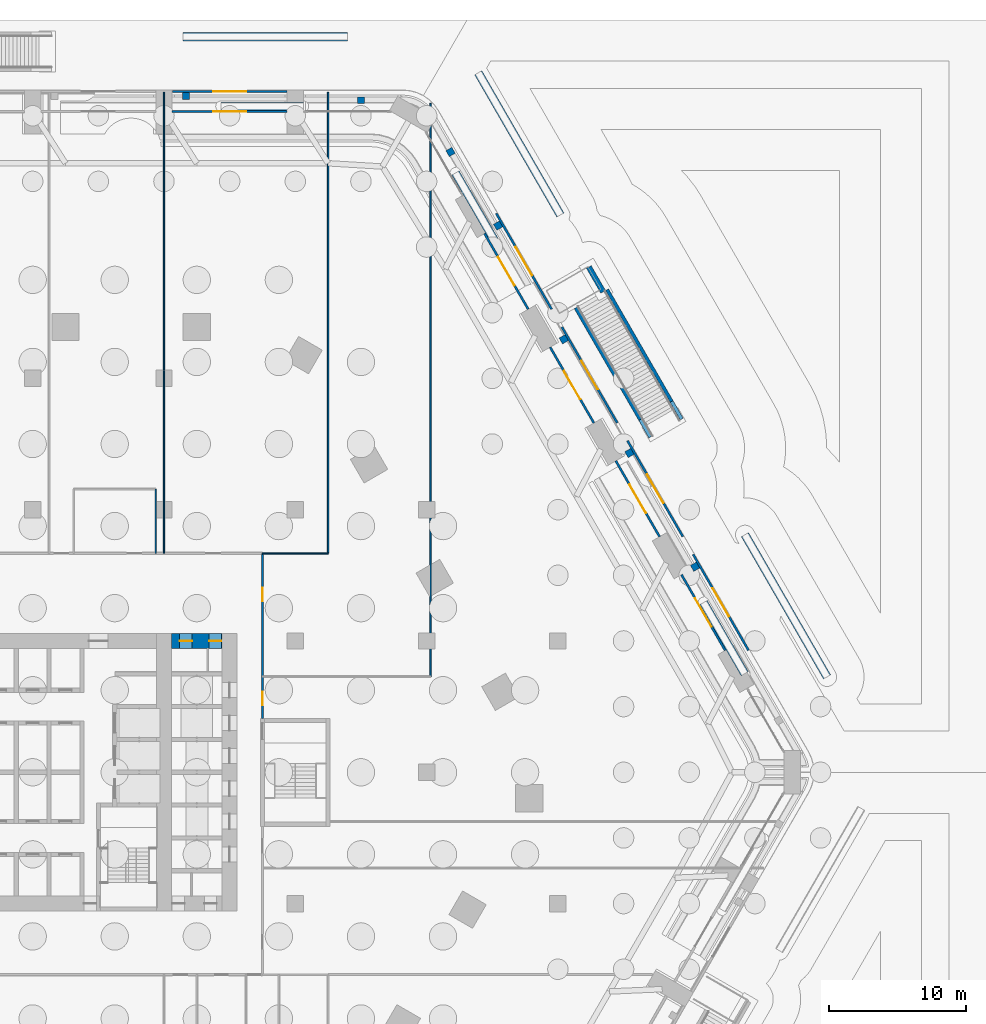
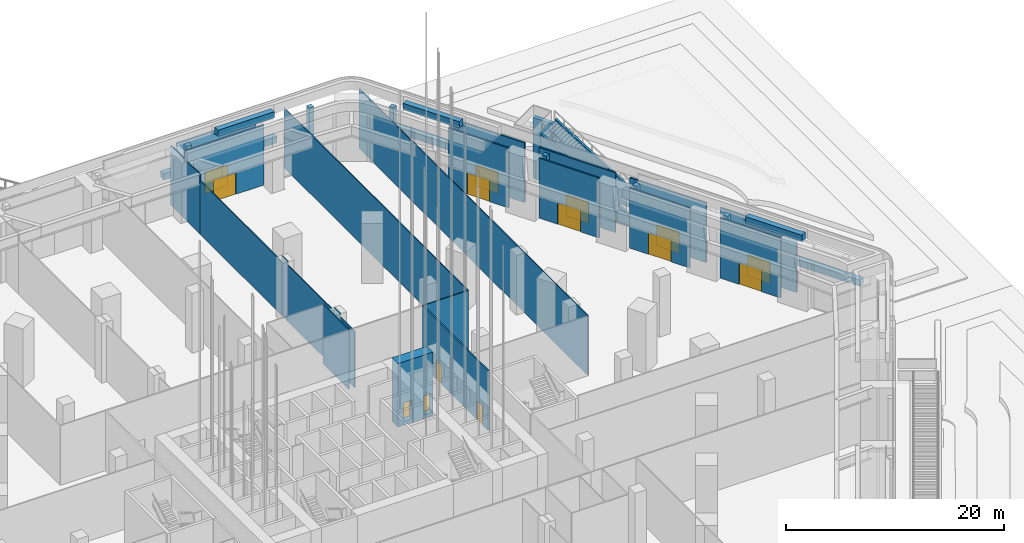
# One storey, part 20 of 68: 38 walls, 14 doors, 14 openings.
"""IFC4 building model written with IfcOpenShell, lengths in metres."""

from ifc_helpers import new_model, si_unit, direction, frame, frame_2d, origin, place, context, subcontext, project, spatial, polyline, rectangle, outline, extrude, material, layer, layer_set, type_object, element, fill, save


model = new_model("IFC4")

# Units and contexts
model_context = context("Model", 3, precision=1e-05, world=origin(), true_north=direction((0.0, 1.0)))
body_context = subcontext(model_context, "Body", "Model", "MODEL_VIEW")
ifc_project = project(units=[si_unit("LENGTHUNIT", "METRE"), si_unit("AREAUNIT", "SQUARE_METRE"), si_unit("VOLUMEUNIT", "CUBIC_METRE"), si_unit("PLANEANGLEUNIT", "RADIAN"), si_unit("MASSUNIT", "GRAM", prefix="KILO")], contexts=[model_context])

# Site, building, storey
site_placement = place(None, origin())
site = spatial("IfcSite", under=ifc_project, at=site_placement, CompositionType="ELEMENT")
building_placement = place(site_placement, origin())
building = spatial("IfcBuilding", under=site, at=building_placement, Name="Kolab Exchange Tower", CompositionType="ELEMENT")
storey_placement = place(building_placement, origin())
storey = spatial("IfcBuildingStorey", under=building, at=storey_placement, Name="L00", CompositionType="ELEMENT", Elevation=0.0)

# Wall, openings, doors
ifc_material_1 = material(Name="Concrete C80/95", Category="concrete")
ifc_layer_1 = layer(ifc_material_1, 1.10009765625)
ifc_layer_set_1 = layer_set([ifc_layer_1], Name="Concrete C80/95")
wall_type_1 = type_object("IfcWallType", Name="CORE WALL 1100 C80/95", PredefinedType="SHEAR", material=ifc_layer_set_1)
wall_1_placement = place(storey_placement, frame((10.14990234375, 9.60009765625, -0.39990234375), z_axis=(0.0, 0.0, 1.0), x_axis=(1.0, 0.0, 0.0)))
wall_1 = element("IfcWall", 1, at=wall_1_placement, inside=storey, type_object=wall_type_1, Name="wall/L00/core/053", PredefinedType="SHEAR", context=body_context, shape_type="SweptSolid", body=[
    extrude(rectangle(XDim=3.7001953125, YDim=1.10009765625, at=frame_2d((1.85009765625, 0.0))), origin(), (0.0, 0.0, 1.0), 7.099853515625),
])
opening_1_placement = place(wall_1_placement, frame((0.60009765625, 0.0, 0.39990234375)))
opening_1 = element("IfcOpeningElement", 2, at=opening_1_placement, cuts=wall_1, Name="Opening D6-020", PredefinedType="OPENING", context=body_context, shape_type="SweptSolid", body=[
    extrude(rectangle(XDim=0.89990234375, YDim=2.10009765625, at=frame_2d((0.449951171875, 1.050048828125))), frame((0.0, 0.56005859375, 0.0), z_axis=(0.0, -1.0, 0.0), x_axis=(1.0, 0.0, 0.0)), (0.0, 0.0, 1.0), 1.1201171875),
])
opening_2_placement = place(wall_1_placement, frame((2.75, 0.0, 0.39990234375)))
opening_2 = element("IfcOpeningElement", 3, at=opening_2_placement, cuts=wall_1, Name="Opening D6-021", PredefinedType="OPENING", context=body_context, shape_type="SweptSolid", body=[
    extrude(rectangle(XDim=0.89990234375, YDim=2.10009765625, at=frame_2d((0.449951171875, 1.050048828125))), frame((0.0, 0.56005859375, 0.0), z_axis=(0.0, -1.0, 0.0), x_axis=(1.0, 0.0, 0.0)), (0.0, 0.0, 1.0), 1.1201171875),
])
ifc_material_2 = material(Name="Steel S235", Category="steel")
door_type_1 = type_object("IfcDoorType", Name="CORE DOOR 900 EI 120", OperationType="SINGLE_SWING_LEFT", PredefinedType="DOOR", material=ifc_material_2)
door_1_placement = place(opening_1_placement, frame((0.89990234375, 0.0, 0.0), z_axis=(0.0, 0.0, 1.0), x_axis=(-1.0, 0.0, 0.0)))
door_1 = element("IfcDoor", 4, at=door_1_placement, inside=storey, type_object=door_type_1, Name="Service room door", OperationType="SINGLE_SWING_RIGHT", OverallHeight=2.10009765625, OverallWidth=0.89990234375, PredefinedType="DOOR", context=body_context, shape_type="SweptSolid", body=[
    extrude(rectangle(XDim=0.89990234375, YDim=2.10009765625, at=frame_2d((0.449951171875, 1.050048828125))), frame((0.0, 0.02490234375, 0.0), z_axis=(0.0, -1.0, 0.0), x_axis=(1.0, 0.0, 0.0)), (0.0, 0.0, 1.0), 0.050048828125),
])
fill(opening_1, door_1)
door_2_placement = place(opening_2_placement, frame((0.89990234375, 0.0, 0.0), z_axis=(0.0, 0.0, 1.0), x_axis=(-1.0, 0.0, 0.0)))
door_2 = element("IfcDoor", 5, at=door_2_placement, inside=storey, type_object=door_type_1, Name="Service room door", OperationType="SINGLE_SWING_LEFT", OverallHeight=2.10009765625, OverallWidth=0.89990234375, PredefinedType="DOOR", context=body_context, shape_type="SweptSolid", body=[
    extrude(rectangle(XDim=0.89990234375, YDim=2.10009765625, at=frame_2d((0.449951171875, 1.050048828125))), frame((0.0, 0.02490234375, 0.0), z_axis=(0.0, -1.0, 0.0), x_axis=(1.0, 0.0, 0.0)), (0.0, 0.0, 1.0), 0.050048828125),
])
fill(opening_2, door_2)

# Wall, opening, door
ifc_material_3 = material(Name="Aluminium EN AW-6063 T6", Category="aluminium")
ifc_layer_2 = layer(ifc_material_3, 0.159912109375)
ifc_layer_set_2 = layer_set([ifc_layer_2], Name="Aluminium EN AW-6063 T6")
wall_type_2 = type_object("IfcWallType", Name="DOOR SURROUND WALL 160 ALUMINIUM FRAMED", PredefinedType="PARTITIONING", material=ifc_layer_set_2)
wall_2_placement = place(storey_placement, frame((10.201904296875, 48.302978515625, 0.0), z_axis=(0.0, 0.0, 1.0), x_axis=(1.0, 0.0, 0.0)))
wall_2 = element("IfcWall", 6, at=wall_2_placement, inside=storey, type_object=wall_type_2, Name="Door surround wall", PredefinedType="PARTITIONING", context=body_context, shape_type="SweptSolid", body=[
    extrude(rectangle(XDim=8.39599609375, YDim=0.159912109375, at=frame_2d((4.197998046875, 0.0))), origin(), (0.0, 0.0, 1.0), 6.699951171875),
])
opening_3_placement = place(wall_2_placement, frame((2.998046875, 0.0, 0.0)))
opening_3 = element("IfcOpeningElement", 7, at=opening_3_placement, cuts=wall_2, Name="Opening ED1-003", PredefinedType="OPENING", context=body_context, shape_type="SweptSolid", body=[
    extrude(rectangle(XDim=2.39990234375, YDim=2.39990234375, at=frame_2d((1.199951171875, 1.199951171875))), frame((0.0, 0.08984375, 0.0), z_axis=(0.0, -1.0, 0.0), x_axis=(1.0, 0.0, 0.0)), (0.0, 0.0, 1.0), 0.179931640625),
])
door_type_2 = type_object("IfcDoorType", Name="ENTRANCE DOUBLE DOOR 2400 X 2400", OperationType="DOUBLE_DOOR_DOUBLE_SWING", PredefinedType="DOOR", material=ifc_material_3)
door_3_placement = place(opening_3_placement, origin())
door_3 = element("IfcDoor", 8, at=door_3_placement, inside=storey, type_object=door_type_2, Name="Entrance door", OperationType="DOUBLE_DOOR_DOUBLE_SWING", OverallHeight=2.39990234375, OverallWidth=2.39990234375, PredefinedType="DOOR", context=body_context, shape_type="SweptSolid", body=[
    extrude(rectangle(XDim=2.39990234375, YDim=2.39990234375, at=frame_2d((1.199951171875, 1.199951171875))), frame((0.0, 0.02490234375, 0.0), z_axis=(0.0, -1.0, 0.0), x_axis=(1.0, 0.0, 0.0)), (0.0, 0.0, 1.0), 0.050048828125),
])
fill(opening_3, door_3)

wall_3_placement = place(storey_placement, frame((33.03271484375, 39.391845703125, 0.0), z_axis=(0.0, 0.0, 1.0), x_axis=(0.500002207027, -0.866024129553, 0.0)))
wall_3 = element("IfcWall", 9, at=wall_3_placement, inside=storey, type_object=wall_type_2, Name="Door surround wall", PredefinedType="PARTITIONING", context=body_context, shape_type="SweptSolid", body=[
    extrude(rectangle(XDim=6.39599609375, YDim=0.159912109375, at=frame_2d((3.197998046875, 0.0))), origin(), (0.0, 0.0, 1.0), 6.699951171875),
])
opening_4_placement = place(wall_3_placement, frame((1.998046875, 0.0, 0.0)))
opening_4 = element("IfcOpeningElement", 10, at=opening_4_placement, cuts=wall_3, Name="Opening ED1-008", PredefinedType="OPENING", context=body_context, shape_type="SweptSolid", body=[
    extrude(rectangle(XDim=2.39990234375, YDim=2.39990234375, at=frame_2d((1.199951171875, 1.199951171875))), frame((0.0, 0.08984375, 0.0), z_axis=(0.0, -1.0, 0.0), x_axis=(1.0, 0.0, 0.0)), (0.0, 0.0, 1.0), 0.179931640625),
])
door_4_placement = place(opening_4_placement, origin())
door_4 = element("IfcDoor", 11, at=door_4_placement, inside=storey, type_object=door_type_2, Name="Entrance door", OperationType="DOUBLE_DOOR_DOUBLE_SWING", OverallHeight=2.39990234375, OverallWidth=2.39990234375, PredefinedType="DOOR", context=body_context, shape_type="SweptSolid", body=[
    extrude(rectangle(XDim=2.39990234375, YDim=2.39990234375, at=frame_2d((1.199951171875, 1.199951171875))), frame((0.0, 0.02490234375, 0.0), z_axis=(0.0, -1.0, 0.0), x_axis=(1.0, 0.0, 0.0)), (0.0, 0.0, 1.0), 0.050048828125),
])
fill(opening_4, door_4)

wall_4_placement = place(storey_placement, frame((37.832763671875, 31.078125, 0.0), z_axis=(0.0, 0.0, 1.0), x_axis=(0.499985678896, -0.86603367192, 0.0)))
wall_4 = element("IfcWall", 12, at=wall_4_placement, inside=storey, type_object=wall_type_2, Name="Door surround wall", PredefinedType="PARTITIONING", context=body_context, shape_type="SweptSolid", body=[
    extrude(rectangle(XDim=6.396240234375, YDim=0.159912109375, at=frame_2d((3.1982421875, 0.0))), origin(), (0.0, 0.0, 1.0), 6.699951171875),
])
opening_5_placement = place(wall_4_placement, frame((1.998046875, 0.0, 0.0)))
opening_5 = element("IfcOpeningElement", 13, at=opening_5_placement, cuts=wall_4, Name="Opening ED1-005", PredefinedType="OPENING", context=body_context, shape_type="SweptSolid", body=[
    extrude(rectangle(XDim=2.39990234375, YDim=2.39990234375, at=frame_2d((1.199951171875, 1.199951171875))), frame((0.0, 0.08984375, 0.0), z_axis=(0.0, -1.0, 0.0), x_axis=(1.0, 0.0, 0.0)), (0.0, 0.0, 1.0), 0.179931640625),
])
door_5_placement = place(opening_5_placement, origin())
door_5 = element("IfcDoor", 14, at=door_5_placement, inside=storey, type_object=door_type_2, Name="Entrance door", OperationType="DOUBLE_DOOR_DOUBLE_SWING", OverallHeight=2.39990234375, OverallWidth=2.39990234375, PredefinedType="DOOR", context=body_context, shape_type="SweptSolid", body=[
    extrude(rectangle(XDim=2.39990234375, YDim=2.39990234375, at=frame_2d((1.199951171875, 1.199951171875))), frame((0.0, 0.02490234375, 0.0), z_axis=(0.0, -1.0, 0.0), x_axis=(1.0, 0.0, 0.0)), (0.0, 0.0, 1.0), 0.050048828125),
])
fill(opening_5, door_5)

wall_5_placement = place(storey_placement, frame((42.632568359375, 22.76416015625, 0.0), z_axis=(0.0, 0.0, 1.0), x_axis=(0.500002207027, -0.866024129553, 0.0)))
wall_5 = element("IfcWall", 15, at=wall_5_placement, inside=storey, type_object=wall_type_2, Name="Door surround wall", PredefinedType="PARTITIONING", context=body_context, shape_type="SweptSolid", body=[
    extrude(rectangle(XDim=6.39599609375, YDim=0.159912109375, at=frame_2d((3.197998046875, 0.0))), origin(), (0.0, 0.0, 1.0), 6.699951171875),
])
opening_6_placement = place(wall_5_placement, frame((1.998046875, 0.0, 0.0)))
opening_6 = element("IfcOpeningElement", 16, at=opening_6_placement, cuts=wall_5, Name="Opening ED1-006", PredefinedType="OPENING", context=body_context, shape_type="SweptSolid", body=[
    extrude(rectangle(XDim=2.39990234375, YDim=2.39990234375, at=frame_2d((1.199951171875, 1.199951171875))), frame((0.0, 0.08984375, 0.0), z_axis=(0.0, -1.0, 0.0), x_axis=(1.0, 0.0, 0.0)), (0.0, 0.0, 1.0), 0.179931640625),
])
door_6_placement = place(opening_6_placement, origin())
door_6 = element("IfcDoor", 17, at=door_6_placement, inside=storey, type_object=door_type_2, Name="Entrance door", OperationType="DOUBLE_DOOR_DOUBLE_SWING", OverallHeight=2.39990234375, OverallWidth=2.39990234375, PredefinedType="DOOR", context=body_context, shape_type="SweptSolid", body=[
    extrude(rectangle(XDim=2.39990234375, YDim=2.39990234375, at=frame_2d((1.199951171875, 1.199951171875))), frame((0.0, 0.02490234375, 0.0), z_axis=(0.0, -1.0, 0.0), x_axis=(1.0, 0.0, 0.0)), (0.0, 0.0, 1.0), 0.050048828125),
])
fill(opening_6, door_6)

wall_6_placement = place(storey_placement, frame((47.4326171875, 14.4501953125, 0.0), z_axis=(0.0, 0.0, 1.0), x_axis=(0.500002207027, -0.866024129553, 0.0)))
wall_6 = element("IfcWall", 18, at=wall_6_placement, inside=storey, type_object=wall_type_2, Name="Door surround wall", PredefinedType="PARTITIONING", context=body_context, shape_type="SweptSolid", body=[
    extrude(rectangle(XDim=6.39599609375, YDim=0.159912109375, at=frame_2d((3.197998046875, 0.0))), origin(), (0.0, 0.0, 1.0), 6.699951171875),
])
opening_7_placement = place(wall_6_placement, frame((1.998046875, 0.0, 0.0)))
opening_7 = element("IfcOpeningElement", 19, at=opening_7_placement, cuts=wall_6, Name="Opening ED1-007", PredefinedType="OPENING", context=body_context, shape_type="SweptSolid", body=[
    extrude(rectangle(XDim=2.39990234375, YDim=2.39990234375, at=frame_2d((1.199951171875, 1.199951171875))), frame((0.0, 0.08984375, 0.0), z_axis=(0.0, -1.0, 0.0), x_axis=(1.0, 0.0, 0.0)), (0.0, 0.0, 1.0), 0.179931640625),
])
door_7_placement = place(opening_7_placement, origin())
door_7 = element("IfcDoor", 20, at=door_7_placement, inside=storey, type_object=door_type_2, Name="Entrance door", OperationType="DOUBLE_DOOR_DOUBLE_SWING", OverallHeight=2.39990234375, OverallWidth=2.39990234375, PredefinedType="DOOR", context=body_context, shape_type="SweptSolid", body=[
    extrude(rectangle(XDim=2.39990234375, YDim=2.39990234375, at=frame_2d((1.199951171875, 1.199951171875))), frame((0.0, 0.02490234375, 0.0), z_axis=(0.0, -1.0, 0.0), x_axis=(1.0, 0.0, 0.0)), (0.0, 0.0, 1.0), 0.050048828125),
])
fill(opening_7, door_7)

wall_7_placement = place(storey_placement, frame((10.2041015625, 49.782958984375, 0.0), z_axis=(0.0, 0.0, 1.0), x_axis=(1.0, 0.0, 0.0)))
wall_7 = element("IfcWall", 21, at=wall_7_placement, inside=storey, type_object=wall_type_2, Name="Door surround wall", PredefinedType="PARTITIONING", context=body_context, shape_type="SweptSolid", body=[
    extrude(rectangle(XDim=8.391845703125, YDim=0.159912109375, at=frame_2d((4.19580078125, 0.0))), origin(), (0.0, 0.0, 1.0), 6.699951171875),
])
opening_8_placement = place(wall_7_placement, frame((2.99609375, 0.0, 0.0)))
opening_8 = element("IfcOpeningElement", 22, at=opening_8_placement, cuts=wall_7, Name="Opening ED1-026", PredefinedType="OPENING", context=body_context, shape_type="SweptSolid", body=[
    extrude(rectangle(XDim=2.39990234375, YDim=2.39990234375, at=frame_2d((1.199951171875, 1.199951171875))), frame((0.0, 0.08984375, 0.0), z_axis=(0.0, -1.0, 0.0), x_axis=(1.0, 0.0, 0.0)), (0.0, 0.0, 1.0), 0.179931640625),
])
door_8_placement = place(opening_8_placement, origin())
door_8 = element("IfcDoor", 23, at=door_8_placement, inside=storey, type_object=door_type_2, Name="Entrance door", OperationType="DOUBLE_DOOR_DOUBLE_SWING", OverallHeight=2.39990234375, OverallWidth=2.39990234375, PredefinedType="DOOR", context=body_context, shape_type="SweptSolid", body=[
    extrude(rectangle(XDim=2.39990234375, YDim=2.39990234375, at=frame_2d((1.199951171875, 1.199951171875))), frame((0.0, 0.02490234375, 0.0), z_axis=(0.0, -1.0, 0.0), x_axis=(1.0, 0.0, 0.0)), (0.0, 0.0, 1.0), 0.050048828125),
])
fill(opening_8, door_8)

wall_8_placement = place(storey_placement, frame((33.889404296875, 40.867919921875, 0.0), z_axis=(0.0, 0.0, 1.0), x_axis=(0.500014813316, -0.866016851144, 0.0)))
wall_8 = element("IfcWall", 24, at=wall_8_placement, inside=storey, type_object=wall_type_2, Name="Door surround wall", PredefinedType="PARTITIONING", context=body_context, shape_type="SweptSolid", body=[
    extrude(rectangle(XDim=8.095947265625, YDim=0.159912109375, at=frame_2d((4.0478515625, 0.0))), origin(), (0.0, 0.0, 1.0), 6.699951171875),
])
opening_9_placement = place(wall_8_placement, frame((2.847900390625, 0.0, 0.0)))
opening_9 = element("IfcOpeningElement", 25, at=opening_9_placement, cuts=wall_8, Name="Opening ED1-027", PredefinedType="OPENING", context=body_context, shape_type="SweptSolid", body=[
    extrude(rectangle(XDim=2.39990234375, YDim=2.39990234375, at=frame_2d((1.199951171875, 1.199951171875))), frame((0.0, 0.08984375, 0.0), z_axis=(0.0, -1.0, 0.0), x_axis=(1.0, 0.0, 0.0)), (0.0, 0.0, 1.0), 0.179931640625),
])
door_9_placement = place(opening_9_placement, origin())
door_9 = element("IfcDoor", 26, at=door_9_placement, inside=storey, type_object=door_type_2, Name="Entrance door", OperationType="DOUBLE_DOOR_DOUBLE_SWING", OverallHeight=2.39990234375, OverallWidth=2.39990234375, PredefinedType="DOOR", context=body_context, shape_type="SweptSolid", body=[
    extrude(rectangle(XDim=2.39990234375, YDim=2.39990234375, at=frame_2d((1.199951171875, 1.199951171875))), frame((0.0, 0.02490234375, 0.0), z_axis=(0.0, -1.0, 0.0), x_axis=(1.0, 0.0, 0.0)), (0.0, 0.0, 1.0), 0.050048828125),
])
fill(opening_9, door_9)

wall_9_placement = place(storey_placement, frame((38.689453125, 32.55419921875, 0.0), z_axis=(0.0, 0.0, 1.0), x_axis=(0.499979138673, -0.866037447742, 0.0)))
wall_9 = element("IfcWall", 27, at=wall_9_placement, inside=storey, type_object=wall_type_2, Name="Door surround wall", PredefinedType="PARTITIONING", context=body_context, shape_type="SweptSolid", body=[
    extrude(rectangle(XDim=8.095947265625, YDim=0.159912109375, at=frame_2d((4.0478515625, 0.0))), origin(), (0.0, 0.0, 1.0), 6.699951171875),
])
opening_10_placement = place(wall_9_placement, frame((2.847900390625, 0.0, 0.0)))
opening_10 = element("IfcOpeningElement", 28, at=opening_10_placement, cuts=wall_9, Name="Opening ED1-028", PredefinedType="OPENING", context=body_context, shape_type="SweptSolid", body=[
    extrude(rectangle(XDim=2.39990234375, YDim=2.39990234375, at=frame_2d((1.199951171875, 1.199951171875))), frame((0.0, 0.08984375, 0.0), z_axis=(0.0, -1.0, 0.0), x_axis=(1.0, 0.0, 0.0)), (0.0, 0.0, 1.0), 0.179931640625),
])
door_10_placement = place(opening_10_placement, origin())
door_10 = element("IfcDoor", 29, at=door_10_placement, inside=storey, type_object=door_type_2, Name="Entrance door", OperationType="DOUBLE_DOOR_DOUBLE_SWING", OverallHeight=2.39990234375, OverallWidth=2.39990234375, PredefinedType="DOOR", context=body_context, shape_type="SweptSolid", body=[
    extrude(rectangle(XDim=2.39990234375, YDim=2.39990234375, at=frame_2d((1.199951171875, 1.199951171875))), frame((0.0, 0.02490234375, 0.0), z_axis=(0.0, -1.0, 0.0), x_axis=(1.0, 0.0, 0.0)), (0.0, 0.0, 1.0), 0.050048828125),
])
fill(opening_10, door_10)

wall_10_placement = place(storey_placement, frame((43.489501953125, 24.240234375, 0.0), z_axis=(0.0, 0.0, 1.0), x_axis=(0.499992196334, -0.866029909186, 0.0)))
wall_10 = element("IfcWall", 30, at=wall_10_placement, inside=storey, type_object=wall_type_2, Name="Door surround wall", PredefinedType="PARTITIONING", context=body_context, shape_type="SweptSolid", body=[
    extrude(rectangle(XDim=8.095947265625, YDim=0.159912109375, at=frame_2d((4.0478515625, 0.0))), origin(), (0.0, 0.0, 1.0), 6.699951171875),
])
opening_11_placement = place(wall_10_placement, frame((2.847900390625, 0.0, 0.0)))
opening_11 = element("IfcOpeningElement", 31, at=opening_11_placement, cuts=wall_10, Name="Opening ED1-029", PredefinedType="OPENING", context=body_context, shape_type="SweptSolid", body=[
    extrude(rectangle(XDim=2.39990234375, YDim=2.39990234375, at=frame_2d((1.199951171875, 1.199951171875))), frame((0.0, 0.08984375, 0.0), z_axis=(0.0, -1.0, 0.0), x_axis=(1.0, 0.0, 0.0)), (0.0, 0.0, 1.0), 0.179931640625),
])
door_11_placement = place(opening_11_placement, origin())
door_11 = element("IfcDoor", 32, at=door_11_placement, inside=storey, type_object=door_type_2, Name="Entrance door", OperationType="DOUBLE_DOOR_DOUBLE_SWING", OverallHeight=2.39990234375, OverallWidth=2.39990234375, PredefinedType="DOOR", context=body_context, shape_type="SweptSolid", body=[
    extrude(rectangle(XDim=2.39990234375, YDim=2.39990234375, at=frame_2d((1.199951171875, 1.199951171875))), frame((0.0, 0.02490234375, 0.0), z_axis=(0.0, -1.0, 0.0), x_axis=(1.0, 0.0, 0.0)), (0.0, 0.0, 1.0), 0.050048828125),
])
fill(opening_11, door_11)

wall_11_placement = place(storey_placement, frame((48.289306640625, 15.926513671875, 0.0), z_axis=(0.0, 0.0, 1.0), x_axis=(0.500001755459, -0.866024390267, 0.0)))
wall_11 = element("IfcWall", 33, at=wall_11_placement, inside=storey, type_object=wall_type_2, Name="Door surround wall", PredefinedType="PARTITIONING", context=body_context, shape_type="SweptSolid", body=[
    extrude(rectangle(XDim=8.09619140625, YDim=0.159912109375, at=frame_2d((4.048095703125, 0.0))), origin(), (0.0, 0.0, 1.0), 6.699951171875),
])
opening_12_placement = place(wall_11_placement, frame((2.847900390625, 0.0, 0.0)))
opening_12 = element("IfcOpeningElement", 34, at=opening_12_placement, cuts=wall_11, Name="Opening ED1-030", PredefinedType="OPENING", context=body_context, shape_type="SweptSolid", body=[
    extrude(rectangle(XDim=2.39990234375, YDim=2.39990234375, at=frame_2d((1.199951171875, 1.199951171875))), frame((0.0, 0.08984375, 0.0), z_axis=(0.0, -1.0, 0.0), x_axis=(1.0, 0.0, 0.0)), (0.0, 0.0, 1.0), 0.179931640625),
])
door_12_placement = place(opening_12_placement, origin())
door_12 = element("IfcDoor", 35, at=door_12_placement, inside=storey, type_object=door_type_2, Name="Entrance door", OperationType="DOUBLE_DOOR_DOUBLE_SWING", OverallHeight=2.39990234375, OverallWidth=2.39990234375, PredefinedType="DOOR", context=body_context, shape_type="SweptSolid", body=[
    extrude(rectangle(XDim=2.39990234375, YDim=2.39990234375, at=frame_2d((1.199951171875, 1.199951171875))), frame((0.0, 0.02490234375, 0.0), z_axis=(0.0, -1.0, 0.0), x_axis=(1.0, 0.0, 0.0)), (0.0, 0.0, 1.0), 0.050048828125),
])
fill(opening_12, door_12)

# Walls
ifc_material_4 = material(Name="Gypsum board", Category="gypsum")
ifc_layer_3 = layer(ifc_material_4, 0.10009765625)
ifc_layer_set_3 = layer_set([ifc_layer_3], Name="Gypsum board")
wall_type_3 = type_object("IfcWallType", Name="PARTITION 100", PredefinedType="PARTITIONING", material=ifc_layer_set_3)
wall_12_placement = place(storey_placement, frame((29.096923828125, 7.0, 0.0), z_axis=(0.0, 0.0, 1.0), x_axis=(0.0, 1.0, 0.0)))
element("IfcWall", 36, at=wall_12_placement, inside=storey, type_object=wall_type_3, Name="Partition 000", PredefinedType="PARTITIONING", context=body_context, shape_type="SweptSolid", body=[
    extrude(rectangle(XDim=41.910888671875, YDim=0.10009765625, at=frame_2d((20.95556640625, 0.0))), origin(), (0.0, 0.0, 1.0), 6.699951171875),
])
wall_13_placement = place(storey_placement, frame((21.60009765625, 16.0, 0.0), z_axis=(0.0, 0.0, 1.0), x_axis=(0.0, 1.0, 0.0)))
element("IfcWall", 37, at=wall_13_placement, inside=storey, type_object=wall_type_3, Name="Partition 002", PredefinedType="PARTITIONING", context=body_context, shape_type="SweptSolid", body=[
    extrude(rectangle(XDim=33.713134765625, YDim=0.10009765625, at=frame_2d((16.8564453125, 0.0))), origin(), (0.0, 0.0, 1.0), 6.699951171875),
])
wall_14_placement = place(storey_placement, frame((9.60009765625, 29.360107421875, 0.0), z_axis=(0.0, 0.0, 1.0), x_axis=(0.0, 1.0, 0.0)))
element("IfcWall", 38, at=wall_14_placement, inside=storey, type_object=wall_type_3, Name="Partition 011", PredefinedType="PARTITIONING", context=body_context, shape_type="SweptSolid", body=[
    extrude(rectangle(XDim=15.006103515625, YDim=0.10009765625, at=frame_2d((7.5029296875, 0.0))), origin(), (0.0, 0.0, 1.0), 6.01611328125),
])
wall_15_placement = place(storey_placement, frame((9.60009765625, 16.0, 0.0), z_axis=(0.0, 0.0, 1.0), x_axis=(0.0, 1.0, 0.0)))
element("IfcWall", 39, at=wall_15_placement, inside=storey, type_object=wall_type_3, Name="Partition 011", PredefinedType="PARTITIONING", context=body_context, shape_type="SweptSolid", body=[
    extrude(rectangle(XDim=2.639892578125, YDim=0.10009765625, at=frame_2d((1.31982421875, 0.0))), origin(), (0.0, 0.0, 1.0), 6.29296875),
])
wall_16_placement = place(storey_placement, frame((9.60009765625, 18.639892578125, 0.0), z_axis=(0.0, 0.0, 1.0), x_axis=(0.0, 1.0, 0.0)))
element("IfcWall", 40, at=wall_16_placement, inside=storey, type_object=wall_type_3, Name="Partition 011", PredefinedType="PARTITIONING", context=body_context, shape_type="SweptSolid", body=[
    extrude(rectangle(XDim=1.1201171875, YDim=0.10009765625, at=frame_2d((0.56005859375, 0.0))), origin(), (0.0, 0.0, 1.0), 6.699951171875),
])
wall_17_placement = place(storey_placement, frame((9.60009765625, 19.760009765625, 0.0), z_axis=(0.0, 0.0, 1.0), x_axis=(0.0, 1.0, 0.0)))
element("IfcWall", 41, at=wall_17_placement, inside=storey, type_object=wall_type_3, Name="Partition 011", PredefinedType="PARTITIONING", context=body_context, shape_type="SweptSolid", body=[
    extrude(rectangle(XDim=8.47998046875, YDim=0.10009765625, at=frame_2d((4.239990234375, 0.0))), origin(), (0.0, 0.0, 1.0), 6.29296875),
])
wall_18_placement = place(storey_placement, frame((9.60009765625, 28.239990234375, 0.0), z_axis=(0.0, 0.0, 1.0), x_axis=(0.0, 1.0, 0.0)))
element("IfcWall", 42, at=wall_18_placement, inside=storey, type_object=wall_type_3, Name="Partition 011", PredefinedType="PARTITIONING", context=body_context, shape_type="SweptSolid", body=[
    extrude(rectangle(XDim=1.1201171875, YDim=0.10009765625, at=frame_2d((0.56005859375, 0.0))), origin(), (0.0, 0.0, 1.0), 6.699951171875),
])
wall_19_placement = place(storey_placement, frame((9.60009765625, 44.3662109375, 0.0), z_axis=(0.0, 0.0, 1.0), x_axis=(0.0, 1.0, 0.0)))
element("IfcWall", 43, at=wall_19_placement, inside=storey, type_object=wall_type_3, Name="Partition 011", PredefinedType="PARTITIONING", context=body_context, shape_type="SweptSolid", body=[
    extrude(rectangle(XDim=5.346923828125, YDim=0.10009765625, at=frame_2d((2.67333984375, 0.0))), origin(), (0.0, 0.0, 1.0), 6.699951171875),
])
wall_20_placement = place(storey_placement, frame((9.0, 16.0, 0.0), z_axis=(0.0, 0.0, 1.0), x_axis=(0.0, 1.0, 0.0)))
element("IfcWall", 44, at=wall_20_placement, inside=storey, type_object=wall_type_3, Name="Partition 012", PredefinedType="PARTITIONING", context=body_context, shape_type="SweptSolid", body=[
    extrude(rectangle(XDim=4.699951171875, YDim=0.10009765625, at=frame_2d((2.35009765625, 0.0))), origin(), (0.0, 0.0, 1.0), 6.699951171875),
])
wall_21_placement = place(storey_placement, frame((16.800048828125, 16.0, 0.0), z_axis=(0.0, 0.0, 1.0), x_axis=(1.0, 0.0, 0.0)))
element("IfcWall", 45, at=wall_21_placement, inside=storey, type_object=wall_type_3, Name="Partition 039", PredefinedType="PARTITIONING", context=body_context, shape_type="SweptSolid", body=[
    extrude(rectangle(XDim=4.800048828125, YDim=0.10009765625, at=frame_2d((2.39990234375, 0.0))), origin(), (0.0, 0.0, 1.0), 6.699951171875),
])

# Wall, openings, doors
ifc_layer_4 = layer(ifc_material_4, 0.14990234375)
ifc_layer_set_4 = layer_set([ifc_layer_4], Name="Gypsum board")
wall_type_4 = type_object("IfcWallType", Name="PARTITION 150 FIRE-RATED", PredefinedType="PARTITIONING", material=ifc_layer_set_4)
wall_22_placement = place(storey_placement, frame((16.800048828125, 3.949951171875, 0.0), z_axis=(0.0, 0.0, 1.0), x_axis=(0.0, 1.0, 0.0)))
wall_22 = element("IfcWall", 46, at=wall_22_placement, inside=storey, type_object=wall_type_4, Name="Partition 005", PredefinedType="PARTITIONING", context=body_context, shape_type="SweptSolid", body=[
    extrude(rectangle(XDim=12.050048828125, YDim=0.14990234375, at=frame_2d((6.02490234375, 0.0))), origin(), (0.0, 0.0, 1.0), 6.699951171875),
])
opening_13_placement = place(wall_22_placement, frame((0.949951171875, 0.0, 0.0)))
opening_13 = element("IfcOpeningElement", 47, at=opening_13_placement, cuts=wall_22, Name="Opening D1-007", PredefinedType="OPENING", context=body_context, shape_type="SweptSolid", body=[
    extrude(rectangle(XDim=1.0, YDim=2.10009765625, at=frame_2d((0.5, 1.050048828125))), frame((0.0, 0.0849609375, 0.0), z_axis=(0.0, -1.0, 0.0), x_axis=(1.0, 0.0, 0.0)), (0.0, 0.0, 1.0), 0.169921875),
])
opening_14_placement = place(wall_22_placement, frame((8.550048828125, 0.0, 0.0)))
opening_14 = element("IfcOpeningElement", 48, at=opening_14_placement, cuts=wall_22, Name="Opening D1-008", PredefinedType="OPENING", context=body_context, shape_type="SweptSolid", body=[
    extrude(rectangle(XDim=1.0, YDim=2.10009765625, at=frame_2d((0.5, 1.050048828125))), frame((0.0, 0.0849609375, 0.0), z_axis=(0.0, -1.0, 0.0), x_axis=(1.0, 0.0, 0.0)), (0.0, 0.0, 1.0), 0.169921875),
])
door_type_3 = type_object("IfcDoorType", Name="FLUSH DOOR 1000 FD60", OperationType="SINGLE_SWING_LEFT", PredefinedType="DOOR", material=ifc_material_2)
door_13_placement = place(opening_13_placement, frame((1.0, 0.0, 0.0), z_axis=(0.0, 0.0, 1.0), x_axis=(-1.0, 0.0, 0.0)))
door_13 = element("IfcDoor", 49, at=door_13_placement, inside=storey, type_object=door_type_3, Name="Door L00-058", OperationType="SINGLE_SWING_RIGHT", OverallHeight=2.10009765625, OverallWidth=1.0, PredefinedType="DOOR", context=body_context, shape_type="SweptSolid", body=[
    extrude(rectangle(XDim=1.0, YDim=2.10009765625, at=frame_2d((0.5, 1.050048828125))), frame((0.0, 0.02490234375, 0.0), z_axis=(0.0, -1.0, 0.0), x_axis=(1.0, 0.0, 0.0)), (0.0, 0.0, 1.0), 0.050048828125),
])
fill(opening_13, door_13)
door_14_placement = place(opening_14_placement, frame((1.0, 0.0, 0.0), z_axis=(0.0, 0.0, 1.0), x_axis=(-1.0, 0.0, 0.0)))
door_14 = element("IfcDoor", 50, at=door_14_placement, inside=storey, type_object=door_type_3, Name="Door L00-059", OperationType="SINGLE_SWING_RIGHT", OverallHeight=2.10009765625, OverallWidth=1.0, PredefinedType="DOOR", context=body_context, shape_type="SweptSolid", body=[
    extrude(rectangle(XDim=1.0, YDim=2.10009765625, at=frame_2d((0.5, 1.050048828125))), frame((0.0, 0.02490234375, 0.0), z_axis=(0.0, -1.0, 0.0), x_axis=(1.0, 0.0, 0.0)), (0.0, 0.0, 1.0), 0.050048828125),
])
fill(opening_14, door_14)

# Walls
ifc_material_5 = material(Name="Granite facing", Category="masonry")
ifc_layer_5 = layer(ifc_material_5, 0.0400390625)
ifc_material_6 = material(Name="Concrete C40/50 precast", Category="concrete")
ifc_layer_6 = layer(ifc_material_6, 0.56005859375)
ifc_layer_set_5 = layer_set([ifc_layer_5, ifc_layer_6], Name="Concrete C40/50 precast")
wall_type_5 = type_object("IfcWallType", Name="PLANTER BOX 600 X 700 SOIL DEPTH 550", PredefinedType="USERDEFINED", material=ifc_layer_set_5)
for number, where, z_axis, x_axis, name in (
    (51, (13.7822265625, 48.68310546875, 7.0), (0.0, 0.0, 1.0), (1.0, 0.0, 0.0), "Planter"),
    (52, (49.0517578125, 12.40576171875, 7.0), (0.0, 0.0, 1.0), (0.500007758305, -0.866020924479, 0.0), "Planter"),
    (53, (30.915771484375, 43.8173828125, 7.0), (0.0, 0.0, 1.0), (0.499990139034, -0.866031096941, 0.0), "Planter"),
):
    element("IfcWall", number, at=place(storey_placement, frame(where, z_axis=z_axis, x_axis=x_axis)), inside=storey, type_object=wall_type_5, Name=name, ObjectType="PLANTER", PredefinedType="USERDEFINED", context=body_context, shape_type="SweptSolid", body=[
        extrude(rectangle(XDim=6.0, YDim=0.60009765625, at=frame_2d((3.0, 0.0))), origin(), (0.0, 0.0, 1.0), 0.699951171875),
    ])
for number, where, z_axis, x_axis, name in (
    (54, (11.0, 53.782958984375, 0.0), (0.0, 0.0, 1.0), (1.0, 0.0, 0.0), "Planter"),
    (55, (52.077392578125, 17.365234375, 0.0), (0.0, 0.0, 1.0), (0.49999894854, -0.866026010844, 0.0), "Planter"),
):
    element("IfcWall", number, at=place(storey_placement, frame(where, z_axis=z_axis, x_axis=x_axis)), inside=storey, type_object=wall_type_5, Name=name, ObjectType="PLANTER", PredefinedType="USERDEFINED", context=body_context, shape_type="SweptSolid", body=[
        extrude(rectangle(XDim=12.0, YDim=0.60009765625, at=frame_2d((6.0, 0.0))), origin(), (0.0, 0.0, 1.0), 0.699951171875),
    ])
wall_23_placement = place(storey_placement, frame((32.577392578125, 51.14013671875, 0.0), z_axis=(0.0, 0.0, 1.0), x_axis=(0.500007758305, -0.866020924479, 0.0)))
element("IfcWall", 56, at=wall_23_placement, inside=storey, type_object=wall_type_5, Name="Planter", ObjectType="PLANTER", PredefinedType="USERDEFINED", context=body_context, shape_type="SweptSolid", body=[
    extrude(rectangle(XDim=11.999755859375, YDim=0.60009765625, at=frame_2d((6.0, 0.0))), origin(), (0.0, 0.0, 1.0), 0.699951171875),
])
ifc_layer_7 = layer(ifc_material_5, 0.0400390625)
ifc_material_7 = material(Name="Concrete C40/50", Category="concrete")
ifc_layer_8 = layer(ifc_material_7, 0.2099609375)
ifc_layer_set_6 = layer_set([ifc_layer_7, ifc_layer_8], Name="Concrete C40/50")
wall_type_6 = type_object("IfcWallType", Name="STAIR CHEEK WALL 250", PredefinedType="SOLIDWALL", material=ifc_layer_set_6)
wall_24_placement = place(storey_placement, frame((45.157470703125, 24.501220703125, 0.0), z_axis=(0.0, 0.0, 1.0), x_axis=(-0.500012742938, 0.866018046521, 0.0)))
element("IfcWall", 57, at=wall_24_placement, inside=storey, type_object=wall_type_6, Name="Stair cheek wall", PredefinedType="SOLIDWALL", context=body_context, shape_type="SweptSolid", body=[
    extrude(outline(polyline([(0.0, 0.0), (10.920166015625, 0.0), (10.919921875, 7.10009765625), (0.0, 0.27490234375), (0.0, 0.0)])), frame((0.0, 0.125, 0.0), z_axis=(0.0, -1.0, 0.0), x_axis=(1.0, 0.0, 0.0)), (0.0, 0.0, 1.0), 0.25),
])
wall_25_placement = place(storey_placement, frame((47.452392578125, 25.826171875, 0.0), z_axis=(0.0, 0.0, 1.0), x_axis=(-0.499995975244, 0.866027727466, 0.0)))
element("IfcWall", 58, at=wall_25_placement, inside=storey, type_object=wall_type_6, Name="Stair cheek wall", PredefinedType="SOLIDWALL", context=body_context, shape_type="SweptSolid", body=[
    extrude(outline(polyline([(0.0, 0.0), (10.919921875, 0.0), (10.919921875, 7.10009765625), (0.0, 0.27490234375), (0.0, 0.0)])), frame((0.0, 0.125, 0.0), z_axis=(0.0, -1.0, 0.0), x_axis=(1.0, 0.0, 0.0)), (0.0, 0.0, 1.0), 0.25),
])
ifc_layer_9 = layer(ifc_material_7, 0.39990234375)
ifc_layer_set_7 = layer_set([ifc_layer_9], Name="Concrete C40/50")
wall_type_7 = type_object("IfcWallType", Name="STAIR LANDING SUPPORT PIER 2100 X 400", PredefinedType="SOLIDWALL", material=ifc_layer_set_7)
wall_26_placement = place(storey_placement, frame((40.660888671875, 36.939453125, 0.0), z_axis=(0.0, 0.0, 1.0), x_axis=(0.500027713859, -0.866009402589, 0.0)))
element("IfcWall", 59, at=wall_26_placement, inside=storey, type_object=wall_type_7, Name="Stair landing support pier", PredefinedType="SOLIDWALL", context=body_context, shape_type="SweptSolid", body=[
    extrude(rectangle(XDim=2.10009765625, YDim=0.39990234375, at=frame_2d((1.050048828125, 0.0))), origin(), (0.0, 0.0, 1.0), 6.800048828125),
])
ifc_layer_10 = layer(ifc_material_5, 0.5)
ifc_layer_set_8 = layer_set([ifc_layer_10], Name="Granite facing")
wall_type_8 = type_object("IfcWallType", Name="STONE FACADE FIN 500 X 500", PredefinedType="SOLIDWALL", material=ifc_layer_set_8)
for number, where, z_axis, x_axis, name in (
    (60, (10.949951171875, 49.453125, 0.0), (0.0, 0.0, 1.0), (1.0, 0.0, 0.0), "Stone facade fin"),
    (61, (23.75, 49.133056640625, 0.0), (0.0, 0.0, 1.0), (1.0, 0.0, 0.0), "Stone facade fin"),
    (62, (30.425048828125, 45.567626953125, 0.0), (0.0, 0.0, 1.0), (0.499919672301, -0.866071776036, 0.0), "Stone facade fin"),
    (63, (33.902587890625, 40.18505859375, 0.0), (0.0, 0.0, 1.0), (0.499919672301, -0.866071776036, 0.0), "Stone facade fin"),
    (64, (38.70263671875, 31.871337890625, 0.0), (0.0, 0.0, 1.0), (0.499919672301, -0.866071776036, 0.0), "Stone facade fin"),
    (65, (43.502685546875, 23.557373046875, 0.0), (0.0, 0.0, 1.0), (0.499919672301, -0.866071776036, 0.0), "Stone facade fin"),
    (66, (48.302490234375, 15.24365234375, 0.0), (0.0, 0.0, 1.0), (0.499919672301, -0.866071776036, 0.0), "Stone facade fin"),
):
    element("IfcWall", number, at=place(storey_placement, frame(where, z_axis=z_axis, x_axis=x_axis)), inside=storey, type_object=wall_type_8, Name=name, PredefinedType="SOLIDWALL", context=body_context, shape_type="SweptSolid", body=[
        extrude(rectangle(XDim=0.5, YDim=0.5, at=frame_2d((0.25, 0.0))), origin(), (0.0, 0.0, 1.0), 6.39990234375),
    ])

save(model, "model.ifc")
